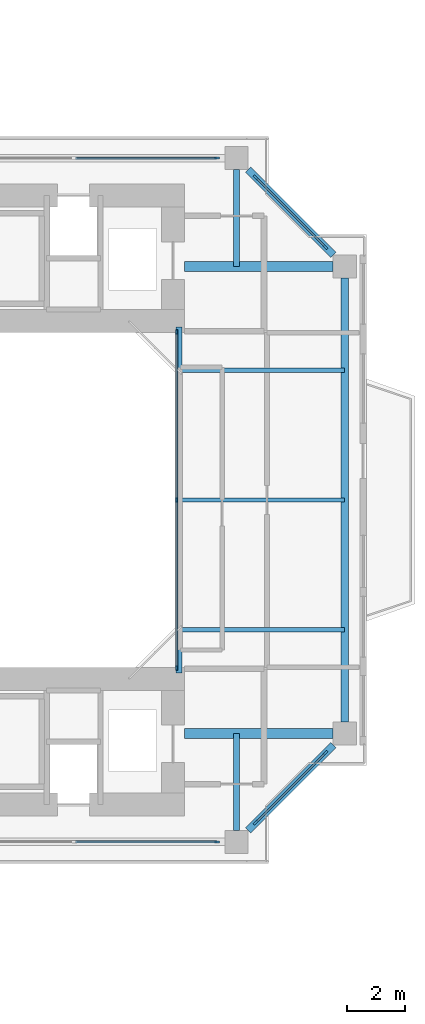
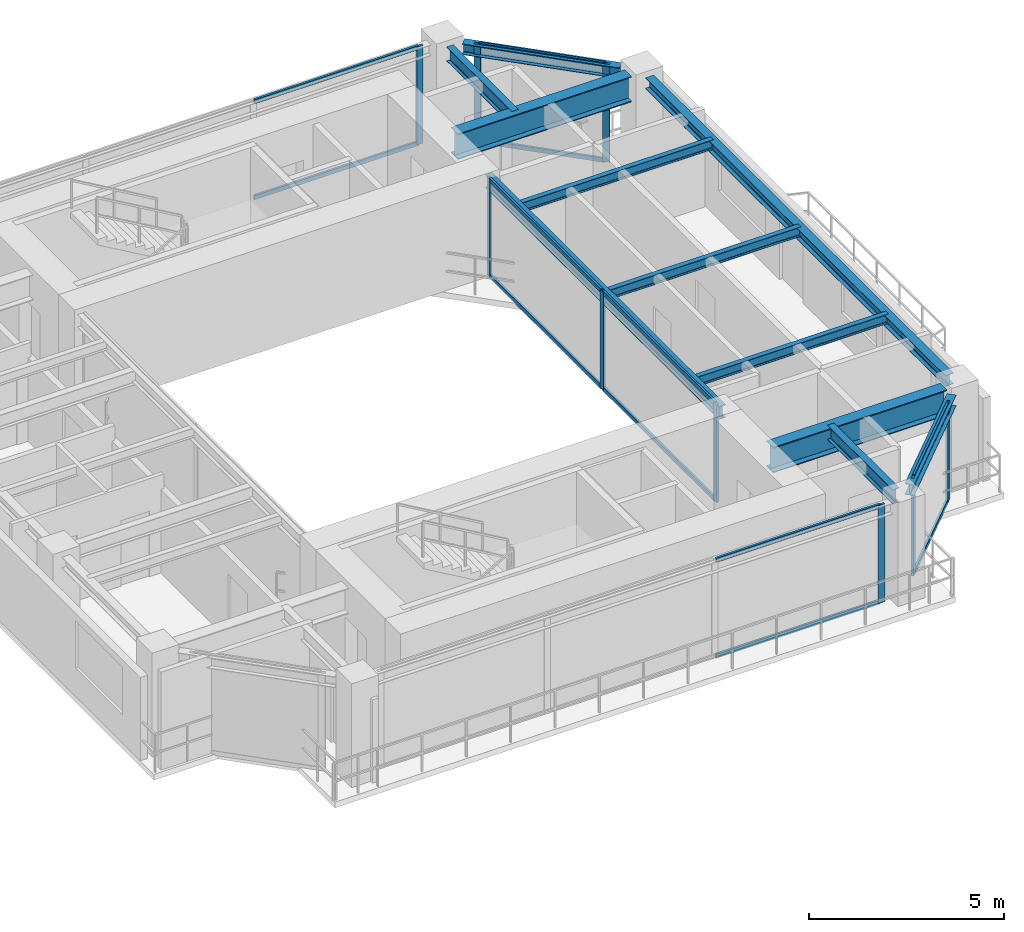
# One storey, part 11 of 23: 21 members, 11 beams, 5 elements without a shape of their own.
"""IFC4 building model written with IfcOpenShell, lengths in metres."""

from ifc_helpers import new_model, si_unit, direction, frame, origin, origin_2d, place, context, subcontext, project, spatial, rectangle, i_section, extrude, source, transform, mapped, material, layer, layer_set, material_profile, profile_set, type_object, element, aggregate, save


model = new_model("IFC4")

# Units and contexts
model_context = context("Model", 3, precision=1e-05, world=origin(), true_north=direction((0.0, 1.0)))
body_context = subcontext(model_context, "Body", "Model", "MODEL_VIEW")
ifc_project = project(units=[si_unit("LENGTHUNIT", "METRE"), si_unit("AREAUNIT", "SQUARE_METRE"), si_unit("VOLUMEUNIT", "CUBIC_METRE"), si_unit("PLANEANGLEUNIT", "RADIAN"), si_unit("MASSUNIT", "GRAM", prefix="KILO"), si_unit("THERMODYNAMICTEMPERATUREUNIT", "KELVIN"), si_unit("POWERUNIT", "WATT")], contexts=[model_context])

# Site, building, storey
site_placement = place(None, origin())
site = spatial("IfcSite", under=ifc_project, at=site_placement, CompositionType="ELEMENT")
building_placement = place(site_placement, origin())
building = spatial("IfcBuilding", under=site, at=building_placement, Name="Qiaomeng Ring Towers", CompositionType="ELEMENT")
storey_placement = place(building_placement, frame((0.0, 0.0, 100.25)))
storey = spatial("IfcBuildingStorey", under=building, at=storey_placement, Name="L28", CompositionType="ELEMENT", Elevation=100.25)

# Beams
ifc_material_1 = material(Name="Steel Q355B", Category="steel")
ifc_material_profile_1 = material_profile(ifc_material_1, i_section(OverallWidth=0.199951171875, OverallDepth=0.39990234375, WebThickness=0.008056640625, FlangeThickness=0.012939453125, FilletRadius=0.01611328125, at=origin_2d()), Name="HN 400x200x8x13")
ifc_profile_set_1 = profile_set([ifc_material_profile_1], Name="Steel Q355B")
beam_type_1 = type_object("IfcBeamType", Name="STR-BM-HN400", PredefinedType="SPANDREL", material=ifc_profile_set_1)
shared_shape_1 = source(origin(), body_context, "Body", "SweptSolid", [
    extrude(i_section(OverallWidth=0.199951171875, OverallDepth=0.39990234375, WebThickness=0.008056640625, FlangeThickness=0.012939453125, FilletRadius=0.01611328125, at=origin_2d()), origin(), (0.0, 0.0, 1.0), 12.0),
])
beam_1_placement = place(storey_placement, frame((66.60009765625, 17.0, 2.8701171875), z_axis=(0.0, 1.0, 0.0), x_axis=(-1.0, 0.0, 0.0)))
element("IfcBeam", 1, at=beam_1_placement, inside=storey, type_object=beam_type_1, Name="L28 beam STR-BM-L28-T2-WELL-E", PredefinedType="SPANDREL", context=body_context, shape_type="MappedRepresentation", body=[
    mapped(shared_shape_1, transform((0.0, 0.0, 0.0), x_axis=(1.0, 0.0, 0.0), y_axis=(0.0, 1.0, 0.0), z_axis=(0.0, 0.0, 1.0), scale=1.0)),
])
ifc_material_profile_2 = material_profile(ifc_material_1, i_section(OverallWidth=0.25, OverallDepth=0.340087890625, WebThickness=0.009033203125, FlangeThickness=0.013916015625, FilletRadius=0.02001953125, at=origin_2d()), Name="HM 340x250x9x14")
ifc_profile_set_2 = profile_set([ifc_material_profile_2], Name="Steel Q355B")
beam_type_2 = type_object("IfcBeamType", Name="STR-BM-HM340", PredefinedType="SPANDREL", material=ifc_profile_set_2)
shared_shape_2 = source(origin(), body_context, "Body", "SweptSolid", [
    extrude(i_section(OverallWidth=0.25, OverallDepth=0.340087890625, WebThickness=0.009033203125, FlangeThickness=0.013916015625, FilletRadius=0.02001953125, at=origin_2d()), origin(), (0.0, 0.0, 1.0), 15.40185546875),
])
beam_2_placement = place(storey_placement, frame((72.35009765625, 15.299072265625, 2.89990234375), z_axis=(0.0, 1.0, 0.0), x_axis=(-1.0, 0.0, 0.0)))
element("IfcBeam", 2, at=beam_2_placement, inside=storey, type_object=beam_type_2, Name="L28 beam STR-SP-L28-T2-E1-E2", PredefinedType="SPANDREL", context=body_context, shape_type="MappedRepresentation", body=[
    mapped(shared_shape_2, transform((0.0, 0.0, 0.0), x_axis=(1.0, 0.0, 0.0), y_axis=(0.0, 1.0, 0.0), z_axis=(0.0, 0.0, 1.0), scale=1.0)),
])
shared_shape_3 = source(origin(), body_context, "Body", "SweptSolid", [
    extrude(i_section(OverallWidth=0.25, OverallDepth=0.340087890625, WebThickness=0.009033203125, FlangeThickness=0.013916015625, FilletRadius=0.02001953125, at=origin_2d()), origin(), (0.0, 0.0, 1.0), 4.173828125),
])
for number, where, z_axis, x_axis, name in (
    (3, (68.999267578125, 11.54931640625, 2.89990234375), (0.707106781187, 0.707106781187, 0.0), (-0.707106781187, 0.707106781187, 0.0), "L28 beam STR-SP-L28-T2-S2-E1"),
    (4, (71.95068359375, 31.499267578125, 2.89990234375), (-0.707106781187, 0.707106781187, 0.0), (-0.707106781187, -0.707106781187, 0.0), "L28 beam STR-SP-L28-T2-E2-N2"),
):
    element("IfcBeam", number, at=place(storey_placement, frame(where, z_axis=z_axis, x_axis=x_axis)), inside=storey, type_object=beam_type_2, Name=name, PredefinedType="SPANDREL", context=body_context, shape_type="MappedRepresentation", body=[
        mapped(shared_shape_3, transform((0.0, 0.0, 0.0), x_axis=(1.0, 0.0, 0.0), y_axis=(0.0, 1.0, 0.0), z_axis=(0.0, 0.0, 1.0), scale=1.0)),
    ])
ifc_material_2 = material(Name="Steel Q390GJC", Category="steel")
ifc_material_profile_3 = material_profile(ifc_material_2, i_section(OverallWidth=0.35009765625, OverallDepth=0.800048828125, WebThickness=0.01611328125, FlangeThickness=0.028076171875, at=origin_2d()), Name="WH 800x350x16x28")
ifc_profile_set_3 = profile_set([ifc_material_profile_3], Name="Steel Q390GJC")
beam_type_3 = type_object("IfcBeamType", Name="STR-BM-WH800", PredefinedType="BEAM", material=ifc_profile_set_3)
shared_shape_4 = source(origin(), body_context, "Body", "SweptSolid", [
    extrude(i_section(OverallWidth=0.35009765625, OverallDepth=0.800048828125, WebThickness=0.01611328125, FlangeThickness=0.028076171875, at=origin_2d()), origin(), (0.0, 0.0, 1.0), 5.15087890625),
])
for number, where, z_axis, x_axis, name in (
    (5, (66.800048828125, 14.89990234375, 2.669921875), (1.0, 0.0, 0.0), (0.0, 1.0, 0.0), "L28 beam STR-BM-L28-T2-RAD-E1"),
    (6, (66.800048828125, 31.10009765625, 2.669921875), (1.0, 0.0, 0.0), (0.0, 1.0, 0.0), "L28 beam STR-BM-L28-T2-RAD-E2"),
):
    element("IfcBeam", number, at=place(storey_placement, frame(where, z_axis=z_axis, x_axis=x_axis)), inside=storey, type_object=beam_type_3, Name=name, PredefinedType="BEAM", context=body_context, shape_type="MappedRepresentation", body=[
        mapped(shared_shape_4, transform((0.0, 0.0, 0.0), x_axis=(1.0, 0.0, 0.0), y_axis=(0.0, 1.0, 0.0), z_axis=(0.0, 0.0, 1.0), scale=1.0)),
    ])
ifc_material_profile_4 = material_profile(ifc_material_1, i_section(OverallWidth=0.199951171875, OverallDepth=0.449951171875, WebThickness=0.009033203125, FlangeThickness=0.013916015625, FilletRadius=0.01806640625, at=origin_2d()), Name="HN 450x200x9x14")
ifc_profile_set_4 = profile_set([ifc_material_profile_4], Name="Steel Q355B")
beam_type_4 = type_object("IfcBeamType", Name="STR-BM-HN450", PredefinedType="SPANDREL", material=ifc_profile_set_4)
shared_shape_5 = source(origin(), body_context, "Body", "SweptSolid", [
    extrude(i_section(OverallWidth=0.199951171875, OverallDepth=0.449951171875, WebThickness=0.009033203125, FlangeThickness=0.013916015625, FilletRadius=0.01806640625, at=origin_2d()), origin(), (0.0, 0.0, 1.0), 3.350830078125),
])
for number, where, z_axis, x_axis, name in (
    (7, (68.60009765625, 34.450927734375, 2.844970703125), (0.0, -1.0, 0.0), (1.0, 0.0, 0.0), "L28 beam STR-BM-L28-T2-RAD-N2"),
    (8, (68.60009765625, 11.549072265625, 2.844970703125), (0.0, 1.0, 0.0), (-1.0, 0.0, 0.0), "L28 beam STR-BM-L28-T2-RAD-S2"),
):
    element("IfcBeam", number, at=place(storey_placement, frame(where, z_axis=z_axis, x_axis=x_axis)), inside=storey, type_object=beam_type_4, Name=name, PredefinedType="SPANDREL", context=body_context, shape_type="MappedRepresentation", body=[
        mapped(shared_shape_5, transform((0.0, 0.0, 0.0), x_axis=(1.0, 0.0, 0.0), y_axis=(0.0, 1.0, 0.0), z_axis=(0.0, 0.0, 1.0), scale=1.0)),
    ])
ifc_material_profile_5 = material_profile(ifc_material_1, i_section(OverallWidth=0.14990234375, OverallDepth=0.300048828125, WebThickness=0.006591796875, FlangeThickness=0.009033203125, FilletRadius=0.012939453125, at=origin_2d()), Name="HN 300x150x6.5x9")
ifc_profile_set_5 = profile_set([ifc_material_profile_5], Name="Steel Q355B")
beam_type_5 = type_object("IfcBeamType", Name="STR-BM-HN300", PredefinedType="JOIST", material=ifc_profile_set_5)
shared_shape_6 = source(origin(), body_context, "Body", "SweptSolid", [
    extrude(i_section(OverallWidth=0.14990234375, OverallDepth=0.300048828125, WebThickness=0.006591796875, FlangeThickness=0.009033203125, FilletRadius=0.012939453125, at=origin_2d()), origin(), (0.0, 0.0, 1.0), 5.75),
])
for number, where, z_axis, x_axis, name in (
    (9, (66.60009765625, 18.5, 2.919921875), (1.0, 0.0, 0.0), (0.0, 1.0, 0.0), "L28 beam STR-JST-L28-T2E-1"),
    (10, (66.60009765625, 23.0, 2.919921875), (1.0, 0.0, 0.0), (0.0, 1.0, 0.0), "L28 beam STR-JST-L28-T2E-2"),
    (11, (66.60009765625, 27.5, 2.919921875), (1.0, 0.0, 0.0), (0.0, 1.0, 0.0), "L28 beam STR-JST-L28-T2E-3"),
):
    element("IfcBeam", number, at=place(storey_placement, frame(where, z_axis=z_axis, x_axis=x_axis)), inside=storey, type_object=beam_type_5, Name=name, PredefinedType="JOIST", context=body_context, shape_type="MappedRepresentation", body=[
        mapped(shared_shape_6, transform((0.0, 0.0, 0.0), x_axis=(1.0, 0.0, 0.0), y_axis=(0.0, 1.0, 0.0), z_axis=(0.0, 0.0, 1.0), scale=1.0)),
    ])

# Curtain wall, members
ifc_material_3 = material(Name="Fluorocarbon dark-grey aluminium", Category="aluminium")
ifc_layer_1 = layer(ifc_material_3, 0.139892578125, Name="Fluorocarbon dark-grey aluminium")
ifc_layer_set_1 = layer_set([ifc_layer_1], Name="Fluorocarbon dark-grey aluminium")
curtain_wall_type_1 = type_object("IfcCurtainWallType", Name="ARC-CW-4", PredefinedType="NOTDEFINED", material=ifc_layer_set_1)
curtain_wall_1_placement = place(storey_placement, origin())
curtain_wall_1 = element("IfcCurtainWall", 12, at=curtain_wall_1_placement, inside=storey, type_object=curtain_wall_type_1, Name="L28 Curtain Wall CW4", PredefinedType="NOTDEFINED")
ifc_material_profile_6 = material_profile(ifc_material_3, rectangle(XDim=0.06494140625, YDim=0.159912109375, at=origin_2d()), Name="ALU MULL 65x160")
ifc_profile_set_6 = profile_set([ifc_material_profile_6], Name="Fluorocarbon dark-grey aluminium")
member_type_1 = type_object("IfcMemberType", Name="ARC-CWM-140", PredefinedType="MULLION", material=ifc_profile_set_6)
shared_shape_7 = source(origin(), body_context, "Body", "SweptSolid", [
    extrude(rectangle(XDim=0.06494140625, YDim=0.159912109375, at=origin_2d()), origin(), (0.0, 0.0, 1.0), 3.070068359375),
])
member_1_placement = place(storey_placement, frame((66.52001953125, 17.1826171875, 0.0), z_axis=(0.0, 0.0, 1.0), x_axis=(-1.0, 0.0, 0.0)))
member_1 = element("IfcMember", 13, at=member_1_placement, type_object=member_type_1, Name="CW4 mullion 1", PredefinedType="MULLION", context=body_context, shape_type="MappedRepresentation", body=[
    mapped(shared_shape_7, transform((0.0, 0.0, 0.0), x_axis=(1.0, 0.0, 0.0), y_axis=(0.0, 1.0, 0.0), z_axis=(0.0, 0.0, 1.0), scale=1.0)),
])
member_2_placement = place(storey_placement, frame((66.52001953125, 23.0, 0.0), z_axis=(0.0, 0.0, 1.0), x_axis=(-1.0, 0.0, 0.0)))
member_2 = element("IfcMember", 14, at=member_2_placement, type_object=member_type_1, Name="CW4 mullion 2", PredefinedType="MULLION", context=body_context, shape_type="MappedRepresentation", body=[
    mapped(shared_shape_7, transform((0.0, 0.0, 0.0), x_axis=(1.0, 0.0, 0.0), y_axis=(0.0, 1.0, 0.0), z_axis=(0.0, 0.0, 1.0), scale=1.0)),
])
member_3_placement = place(storey_placement, frame((66.52001953125, 28.8173828125, 0.0), z_axis=(0.0, 0.0, 1.0), x_axis=(-1.0, 0.0, 0.0)))
member_3 = element("IfcMember", 15, at=member_3_placement, type_object=member_type_1, Name="CW4 mullion 3", PredefinedType="MULLION", context=body_context, shape_type="MappedRepresentation", body=[
    mapped(shared_shape_7, transform((0.0, 0.0, 0.0), x_axis=(1.0, 0.0, 0.0), y_axis=(0.0, 1.0, 0.0), z_axis=(0.0, 0.0, 1.0), scale=1.0)),
])
ifc_material_profile_7 = material_profile(ifc_material_3, rectangle(XDim=0.06494140625, YDim=0.1298828125, at=origin_2d()), Name="ALU TRAN 65x130")
ifc_profile_set_7 = profile_set([ifc_material_profile_7], Name="Fluorocarbon dark-grey aluminium")
member_type_2 = type_object("IfcMemberType", Name="ARC-CWT-120", PredefinedType="USERDEFINED", material=ifc_profile_set_7)
shared_shape_8 = source(origin(), body_context, "Body", "SweptSolid", [
    extrude(rectangle(XDim=0.06494140625, YDim=0.1298828125, at=origin_2d()), origin(), (0.0, 0.0, 1.0), 5.75244140625),
])
member_4_placement = place(storey_placement, frame((66.52001953125, 17.215087890625, 0.032470703125), z_axis=(0.0, 1.0, 0.0), x_axis=(-1.0, 0.0, 0.0)))
member_4 = element("IfcMember", 16, at=member_4_placement, type_object=member_type_2, Name="CW4 transom 1.1", ObjectType="TRANSOM", PredefinedType="USERDEFINED", context=body_context, shape_type="MappedRepresentation", body=[
    mapped(shared_shape_8, transform((0.0, 0.0, 0.0), x_axis=(1.0, 0.0, 0.0), y_axis=(0.0, 1.0, 0.0), z_axis=(0.0, 0.0, 1.0), scale=1.0)),
])
member_5_placement = place(storey_placement, frame((66.52001953125, 17.215087890625, 3.03759765625), z_axis=(0.0, 1.0, 0.0), x_axis=(-1.0, 0.0, 0.0)))
member_5 = element("IfcMember", 17, at=member_5_placement, type_object=member_type_2, Name="CW4 transom 1.2", ObjectType="TRANSOM", PredefinedType="USERDEFINED", context=body_context, shape_type="MappedRepresentation", body=[
    mapped(shared_shape_8, transform((0.0, 0.0, 0.0), x_axis=(1.0, 0.0, 0.0), y_axis=(0.0, 1.0, 0.0), z_axis=(0.0, 0.0, 1.0), scale=1.0)),
])
member_6_placement = place(storey_placement, frame((66.52001953125, 23.032470703125, 0.032470703125), z_axis=(0.0, 1.0, 0.0), x_axis=(-1.0, 0.0, 0.0)))
member_6 = element("IfcMember", 18, at=member_6_placement, type_object=member_type_2, Name="CW4 transom 2.1", ObjectType="TRANSOM", PredefinedType="USERDEFINED", context=body_context, shape_type="MappedRepresentation", body=[
    mapped(shared_shape_8, transform((0.0, 0.0, 0.0), x_axis=(1.0, 0.0, 0.0), y_axis=(0.0, 1.0, 0.0), z_axis=(0.0, 0.0, 1.0), scale=1.0)),
])
member_7_placement = place(storey_placement, frame((66.52001953125, 23.032470703125, 3.03759765625), z_axis=(0.0, 1.0, 0.0), x_axis=(-1.0, 0.0, 0.0)))
member_7 = element("IfcMember", 19, at=member_7_placement, type_object=member_type_2, Name="CW4 transom 2.2", ObjectType="TRANSOM", PredefinedType="USERDEFINED", context=body_context, shape_type="MappedRepresentation", body=[
    mapped(shared_shape_8, transform((0.0, 0.0, 0.0), x_axis=(1.0, 0.0, 0.0), y_axis=(0.0, 1.0, 0.0), z_axis=(0.0, 0.0, 1.0), scale=1.0)),
])
aggregate(curtain_wall_1, [member_1, member_2, member_3, member_4, member_5, member_6, member_7])

# Curtain wall, member
ifc_layer_2 = layer(ifc_material_3, 0.14990234375, Name="Fluorocarbon dark-grey aluminium")
ifc_layer_set_2 = layer_set([ifc_layer_2], Name="Fluorocarbon dark-grey aluminium")
curtain_wall_type_2 = type_object("IfcCurtainWallType", Name="ARC-CW-5", PredefinedType="NOTDEFINED", material=ifc_layer_set_2)
curtain_wall_2_placement = place(storey_placement, origin())
curtain_wall_2 = element("IfcCurtainWall", 20, at=curtain_wall_2_placement, inside=storey, type_object=curtain_wall_type_2, Name="L28 Curtain Wall CW5", PredefinedType="NOTDEFINED")
ifc_material_profile_8 = material_profile(ifc_material_3, rectangle(XDim=0.070068359375, YDim=0.179931640625, at=origin_2d()), Name="ALU MULL 70x180")
ifc_profile_set_8 = profile_set([ifc_material_profile_8], Name="Fluorocarbon dark-grey aluminium")
member_type_3 = type_object("IfcMemberType", Name="ARC-CWM-160", PredefinedType="MULLION", material=ifc_profile_set_8)
shared_shape_9 = source(origin(), body_context, "Body", "SweptSolid", [
    extrude(rectangle(XDim=0.070068359375, YDim=0.179931640625, at=origin_2d()), origin(), (0.0, 0.0, 1.0), 3.070068359375),
])
member_8_placement = place(storey_placement, frame((67.925048828125, 34.85009765625, 0.0), z_axis=(0.0, 0.0, 1.0), x_axis=(0.0, 1.0, 0.0)))
member_8 = element("IfcMember", 21, at=member_8_placement, type_object=member_type_3, Name="CW5 mullion 4", PredefinedType="MULLION", context=body_context, shape_type="MappedRepresentation", body=[
    mapped(shared_shape_9, transform((0.0, 0.0, 0.0), x_axis=(1.0, 0.0, 0.0), y_axis=(0.0, 1.0, 0.0), z_axis=(0.0, 0.0, 1.0), scale=1.0)),
])

# Curtain wall, members
curtain_wall_3_placement = place(storey_placement, origin())
curtain_wall_3 = element("IfcCurtainWall", 22, at=curtain_wall_3_placement, inside=storey, type_object=curtain_wall_type_2, Name="L28 Curtain Wall CW5", PredefinedType="NOTDEFINED")
member_9_placement = place(storey_placement, frame((69.2646484375, 11.814697265625, 0.0), z_axis=(0.0, 0.0, 1.0), x_axis=(-0.707106781187, 0.707106781187, 0.0)))
member_9 = element("IfcMember", 23, at=member_9_placement, type_object=member_type_3, Name="CW5 mullion 1", PredefinedType="MULLION", context=body_context, shape_type="MappedRepresentation", body=[
    mapped(shared_shape_9, transform((0.0, 0.0, 0.0), x_axis=(1.0, 0.0, 0.0), y_axis=(0.0, 1.0, 0.0), z_axis=(0.0, 0.0, 1.0), scale=1.0)),
])
member_10_placement = place(storey_placement, frame((71.685302734375, 14.2353515625, 0.0), z_axis=(0.0, 0.0, 1.0), x_axis=(-0.707106781187, 0.707106781187, 0.0)))
member_10 = element("IfcMember", 24, at=member_10_placement, type_object=member_type_3, Name="CW5 mullion 2", PredefinedType="MULLION", context=body_context, shape_type="MappedRepresentation", body=[
    mapped(shared_shape_9, transform((0.0, 0.0, 0.0), x_axis=(1.0, 0.0, 0.0), y_axis=(0.0, 1.0, 0.0), z_axis=(0.0, 0.0, 1.0), scale=1.0)),
])

curtain_wall_4_placement = place(storey_placement, origin())
curtain_wall_4 = element("IfcCurtainWall", 25, at=curtain_wall_4_placement, inside=storey, type_object=curtain_wall_type_2, Name="L28 Curtain Wall CW5", PredefinedType="NOTDEFINED")
member_11_placement = place(storey_placement, frame((71.685302734375, 31.7646484375, 0.0), z_axis=(0.0, 0.0, 1.0), x_axis=(-0.707106781187, -0.707106781187, 0.0)))
member_11 = element("IfcMember", 26, at=member_11_placement, type_object=member_type_3, Name="CW5 mullion 1", PredefinedType="MULLION", context=body_context, shape_type="MappedRepresentation", body=[
    mapped(shared_shape_9, transform((0.0, 0.0, 0.0), x_axis=(1.0, 0.0, 0.0), y_axis=(0.0, 1.0, 0.0), z_axis=(0.0, 0.0, 1.0), scale=1.0)),
])
member_12_placement = place(storey_placement, frame((69.2646484375, 34.185302734375, 0.0), z_axis=(0.0, 0.0, 1.0), x_axis=(-0.707106781187, -0.707106781187, 0.0)))
member_12 = element("IfcMember", 27, at=member_12_placement, type_object=member_type_3, Name="CW5 mullion 2", PredefinedType="MULLION", context=body_context, shape_type="MappedRepresentation", body=[
    mapped(shared_shape_9, transform((0.0, 0.0, 0.0), x_axis=(1.0, 0.0, 0.0), y_axis=(0.0, 1.0, 0.0), z_axis=(0.0, 0.0, 1.0), scale=1.0)),
])

# Curtain wall, member
curtain_wall_5_placement = place(storey_placement, origin())
curtain_wall_5 = element("IfcCurtainWall", 28, at=curtain_wall_5_placement, inside=storey, type_object=curtain_wall_type_2, Name="L28 Curtain Wall CW5", PredefinedType="NOTDEFINED")
member_13_placement = place(storey_placement, frame((67.925048828125, 11.14990234375, 0.0), z_axis=(0.0, 0.0, 1.0), x_axis=(0.0, 1.0, 0.0)))
member_13 = element("IfcMember", 29, at=member_13_placement, type_object=member_type_3, Name="CW5 mullion 4", PredefinedType="MULLION", context=body_context, shape_type="MappedRepresentation", body=[
    mapped(shared_shape_9, transform((0.0, 0.0, 0.0), x_axis=(1.0, 0.0, 0.0), y_axis=(0.0, 1.0, 0.0), z_axis=(0.0, 0.0, 1.0), scale=1.0)),
])

# Member
shared_shape_10 = source(origin(), body_context, "Body", "SweptSolid", [
    extrude(rectangle(XDim=0.06494140625, YDim=0.1298828125, at=origin_2d()), origin(), (0.0, 0.0, 1.0), 4.8681640625),
])
member_14_placement = place(storey_placement, frame((63.021728515625, 34.85009765625, 0.032470703125), z_axis=(1.0, 0.0, 0.0), x_axis=(0.0, 1.0, 0.0)))
member_14 = element("IfcMember", 30, at=member_14_placement, type_object=member_type_2, Name="CW5 transom 3.1", ObjectType="TRANSOM", PredefinedType="USERDEFINED", context=body_context, shape_type="MappedRepresentation", body=[
    mapped(shared_shape_10, transform((0.0, 0.0, 0.0), x_axis=(1.0, 0.0, 0.0), y_axis=(0.0, 1.0, 0.0), z_axis=(0.0, 0.0, 1.0), scale=1.0)),
])

member_15_placement = place(storey_placement, frame((63.021728515625, 34.85009765625, 3.03759765625), z_axis=(1.0, 0.0, 0.0), x_axis=(0.0, 1.0, 0.0)))
member_15 = element("IfcMember", 31, at=member_15_placement, type_object=member_type_2, Name="CW5 transom 3.2", ObjectType="TRANSOM", PredefinedType="USERDEFINED", context=body_context, shape_type="MappedRepresentation", body=[
    mapped(shared_shape_10, transform((0.0, 0.0, 0.0), x_axis=(1.0, 0.0, 0.0), y_axis=(0.0, 1.0, 0.0), z_axis=(0.0, 0.0, 1.0), scale=1.0)),
])

aggregate(curtain_wall_2, [member_8, member_14, member_15])

member_16_placement = place(storey_placement, frame((63.021728515625, 11.14990234375, 0.032470703125), z_axis=(1.0, 0.0, 0.0), x_axis=(0.0, 1.0, 0.0)))
member_16 = element("IfcMember", 32, at=member_16_placement, type_object=member_type_2, Name="CW5 transom 3.1", ObjectType="TRANSOM", PredefinedType="USERDEFINED", context=body_context, shape_type="MappedRepresentation", body=[
    mapped(shared_shape_10, transform((0.0, 0.0, 0.0), x_axis=(1.0, 0.0, 0.0), y_axis=(0.0, 1.0, 0.0), z_axis=(0.0, 0.0, 1.0), scale=1.0)),
])

member_17_placement = place(storey_placement, frame((63.021728515625, 11.14990234375, 3.03759765625), z_axis=(1.0, 0.0, 0.0), x_axis=(0.0, 1.0, 0.0)))
member_17 = element("IfcMember", 33, at=member_17_placement, type_object=member_type_2, Name="CW5 transom 3.2", ObjectType="TRANSOM", PredefinedType="USERDEFINED", context=body_context, shape_type="MappedRepresentation", body=[
    mapped(shared_shape_10, transform((0.0, 0.0, 0.0), x_axis=(1.0, 0.0, 0.0), y_axis=(0.0, 1.0, 0.0), z_axis=(0.0, 0.0, 1.0), scale=1.0)),
])

aggregate(curtain_wall_5, [member_13, member_16, member_17])

shared_shape_11 = source(origin(), body_context, "Body", "SweptSolid", [
    extrude(rectangle(XDim=0.06494140625, YDim=0.1298828125, at=origin_2d()), origin(), (0.0, 0.0, 1.0), 3.352783203125),
])
member_18_placement = place(storey_placement, frame((69.28955078125, 11.839599609375, 0.032470703125), z_axis=(0.707106781187, 0.707106781187, 0.0), x_axis=(-0.707106781187, 0.707106781187, 0.0)))
member_18 = element("IfcMember", 34, at=member_18_placement, type_object=member_type_2, Name="CW5 transom 1.1", ObjectType="TRANSOM", PredefinedType="USERDEFINED", context=body_context, shape_type="MappedRepresentation", body=[
    mapped(shared_shape_11, transform((0.0, 0.0, 0.0), x_axis=(1.0, 0.0, 0.0), y_axis=(0.0, 1.0, 0.0), z_axis=(0.0, 0.0, 1.0), scale=1.0)),
])

member_19_placement = place(storey_placement, frame((69.28955078125, 11.839599609375, 3.03759765625), z_axis=(0.707106781187, 0.707106781187, 0.0), x_axis=(-0.707106781187, 0.707106781187, 0.0)))
member_19 = element("IfcMember", 35, at=member_19_placement, type_object=member_type_2, Name="CW5 transom 1.2", ObjectType="TRANSOM", PredefinedType="USERDEFINED", context=body_context, shape_type="MappedRepresentation", body=[
    mapped(shared_shape_11, transform((0.0, 0.0, 0.0), x_axis=(1.0, 0.0, 0.0), y_axis=(0.0, 1.0, 0.0), z_axis=(0.0, 0.0, 1.0), scale=1.0)),
])

aggregate(curtain_wall_3, [member_9, member_10, member_18, member_19])

member_20_placement = place(storey_placement, frame((71.660400390625, 31.78955078125, 0.032470703125), z_axis=(-0.707106781187, 0.707106781187, 0.0), x_axis=(-0.707106781187, -0.707106781187, 0.0)))
member_20 = element("IfcMember", 36, at=member_20_placement, type_object=member_type_2, Name="CW5 transom 1.1", ObjectType="TRANSOM", PredefinedType="USERDEFINED", context=body_context, shape_type="MappedRepresentation", body=[
    mapped(shared_shape_11, transform((0.0, 0.0, 0.0), x_axis=(1.0, 0.0, 0.0), y_axis=(0.0, 1.0, 0.0), z_axis=(0.0, 0.0, 1.0), scale=1.0)),
])

member_21_placement = place(storey_placement, frame((71.660400390625, 31.78955078125, 3.03759765625), z_axis=(-0.707106781187, 0.707106781187, 0.0), x_axis=(-0.707106781187, -0.707106781187, 0.0)))
member_21 = element("IfcMember", 37, at=member_21_placement, type_object=member_type_2, Name="CW5 transom 1.2", ObjectType="TRANSOM", PredefinedType="USERDEFINED", context=body_context, shape_type="MappedRepresentation", body=[
    mapped(shared_shape_11, transform((0.0, 0.0, 0.0), x_axis=(1.0, 0.0, 0.0), y_axis=(0.0, 1.0, 0.0), z_axis=(0.0, 0.0, 1.0), scale=1.0)),
])

aggregate(curtain_wall_4, [member_11, member_12, member_20, member_21])

save(model, "model.ifc")
